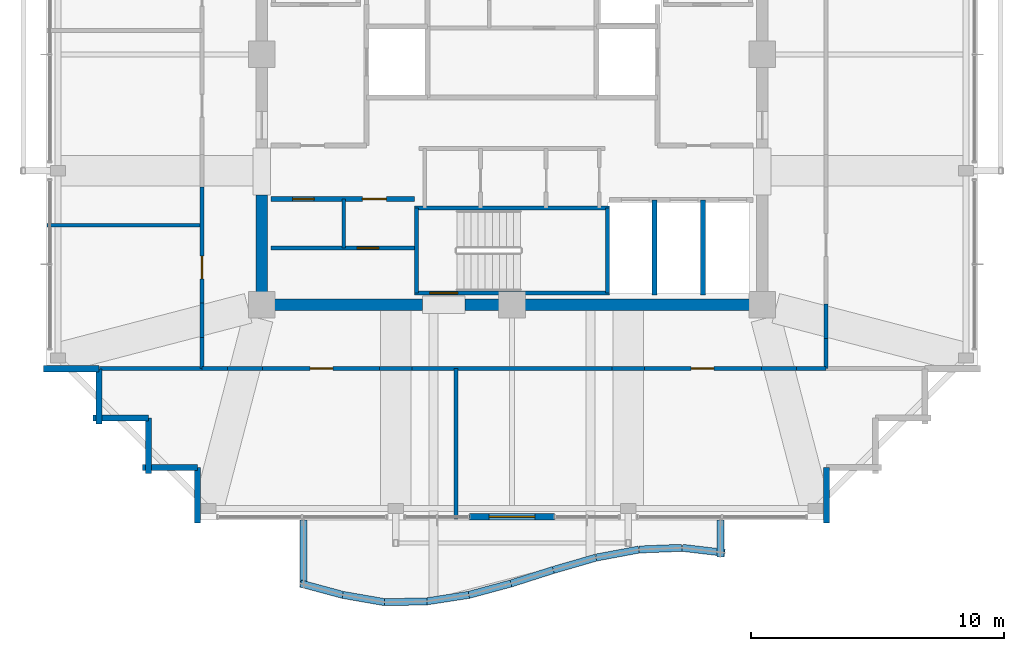
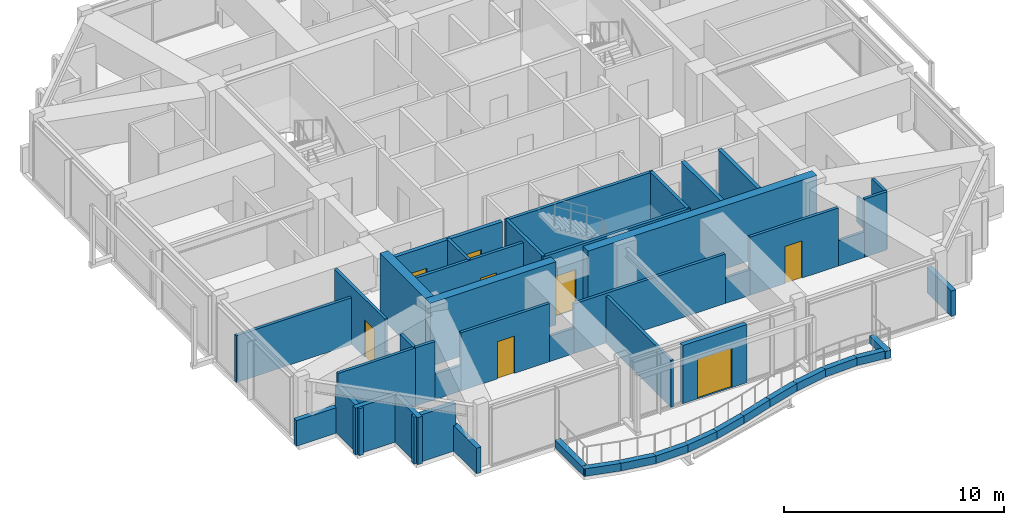
# One storey, part 26 of 30: 49 walls, 8 doors, 8 openings.
"""IFC4 building model written with IfcOpenShell, lengths in metres."""

from ifc_helpers import new_model, si_unit, direction, frame, frame_2d, origin, place, context, subcontext, project, spatial, rectangle, extrude, material, layer, layer_set, type_object, element, fill, save


model = new_model("IFC4")

# Units and contexts
model_context = context("Model", 3, precision=1e-05, world=origin(), true_north=direction((0.0, 1.0)))
body_context = subcontext(model_context, "Body", "Model", "MODEL_VIEW")
ifc_project = project(units=[si_unit("LENGTHUNIT", "METRE"), si_unit("AREAUNIT", "SQUARE_METRE"), si_unit("VOLUMEUNIT", "CUBIC_METRE"), si_unit("PLANEANGLEUNIT", "RADIAN"), si_unit("MASSUNIT", "GRAM", prefix="KILO")], contexts=[model_context])

# Site, building, storey
site_placement = place(None, origin())
site = spatial("IfcSite", under=ifc_project, at=site_placement, CompositionType="ELEMENT")
building_placement = place(site_placement, origin())
building = spatial("IfcBuilding", under=site, at=building_placement, Name="Kolvaren Belvedere", CompositionType="ELEMENT")
storey_placement = place(building_placement, frame((0.0, 0.0, 254.89990234375)))
storey = spatial("IfcBuildingStorey", under=building, at=storey_placement, Name="L74", CompositionType="ELEMENT", Elevation=254.89990234375)

# Walls
ifc_material_1 = material(Name="Concrete C50/60", Category="concrete")
ifc_layer_1 = layer(ifc_material_1, 0.449951171875)
ifc_layer_set_1 = layer_set([ifc_layer_1], Name="Concrete C50/60")
wall_type_1 = type_object("IfcWallType", Name="CW-CORE-450", PredefinedType="SHEAR", material=ifc_layer_set_1)
wall_1_placement = place(storey_placement, frame((10.125, -9.89990234375, 0.0), z_axis=(0.0, 0.0, 1.0), x_axis=(-1.0, 0.0, 0.0)))
element("IfcWall", 1, at=wall_1_placement, inside=storey, type_object=wall_type_1, Name="L74 South Core Shear Wall 1", PredefinedType="SHEAR", context=body_context, shape_type="SweptSolid", body=[
    extrude(rectangle(XDim=11.985107421875, YDim=0.449951171875, at=frame_2d((5.99267578125, 0.0))), origin(), (0.0, 0.0, 1.0), 3.5),
])
wall_2_placement = place(storey_placement, frame((-3.5400390625, -9.89990234375, 0.0), z_axis=(0.0, 0.0, 1.0), x_axis=(-1.0, 0.0, 0.0)))
element("IfcWall", 2, at=wall_2_placement, inside=storey, type_object=wall_type_1, Name="L74 South Core Shear Wall 2", PredefinedType="SHEAR", context=body_context, shape_type="SweptSolid", body=[
    extrude(rectangle(XDim=6.5849609375, YDim=0.449951171875, at=frame_2d((3.29248046875, 0.0))), origin(), (0.0, 0.0, 1.0), 3.5),
])
wall_3_placement = place(storey_placement, frame((-9.89990234375, -9.675048828125, 0.0), z_axis=(0.0, 0.0, 1.0), x_axis=(0.0, 1.0, 0.0)))
element("IfcWall", 3, at=wall_3_placement, inside=storey, type_object=wall_type_1, Name="L74 West Core Shear Wall 1", PredefinedType="SHEAR", context=body_context, shape_type="SweptSolid", body=[
    extrude(rectangle(XDim=4.125, YDim=0.449951171875, at=frame_2d((2.0625, 0.0))), origin(), (0.0, 0.0, 1.0), 3.5),
])

# Wall, opening, door
ifc_material_2 = material(Name="Concrete C50/60", Category="concrete")
ifc_layer_2 = layer(ifc_material_2, 0.159912109375)
ifc_layer_set_2 = layer_set([ifc_layer_2], Name="Concrete C50/60")
wall_type_2 = type_object("IfcWallType", Name="CW-STAIR-160", PredefinedType="SHEAR", material=ifc_layer_set_2)
wall_4_placement = place(storey_placement, frame((3.860107421875, -9.429931640625, 0.0), z_axis=(0.0, 0.0, 1.0), x_axis=(-1.0, 0.0, 0.0)))
wall_4 = element("IfcWall", 4, at=wall_4_placement, inside=storey, type_object=wall_type_2, Name="L74 Stair ST-3 South Shear Wall", PredefinedType="SHEAR", context=body_context, shape_type="SweptSolid", body=[
    extrude(rectangle(XDim=7.72021484375, YDim=0.159912109375, at=frame_2d((3.860107421875, 0.0))), origin(), (0.0, 0.0, 1.0), 3.5),
])
opening_1_placement = place(wall_4_placement, frame((6.010009765625, 0.0, 0.0)))
opening_1 = element("IfcOpeningElement", 5, at=opening_1_placement, cuts=wall_4, Name="Opening D-FD90", PredefinedType="OPENING", context=body_context, shape_type="SweptSolid", body=[
    extrude(rectangle(XDim=1.10009765625, YDim=2.199951171875, at=frame_2d((0.550048828125, 1.10009765625))), frame((0.0, 0.08984375, 0.0), z_axis=(0.0, -1.0, 0.0), x_axis=(1.0, 0.0, 0.0)), (0.0, 0.0, 1.0), 0.179931640625),
])
ifc_material_3 = material(Name="Painted hollow stainless steel", Category="steel")
door_type_1 = type_object("IfcDoorType", Name="DR-FD90-1100", OperationType="NOTDEFINED", PredefinedType="DOOR", material=ifc_material_3)
door_1_placement = place(opening_1_placement, origin())
door_1 = element("IfcDoor", 6, at=door_1_placement, inside=storey, type_object=door_type_1, Name="L74 Stair ST-3 Exit Door", OperationType="SINGLE_SWING_RIGHT", OverallHeight=2.199951171875, OverallWidth=1.10009765625, PredefinedType="DOOR", context=body_context, shape_type="SweptSolid", body=[
    extrude(rectangle(XDim=1.10009765625, YDim=2.199951171875, at=frame_2d((0.550048828125, 1.10009765625))), frame((0.0, 0.02490234375, 0.0), z_axis=(0.0, -1.0, 0.0), x_axis=(1.0, 0.0, 0.0)), (0.0, 0.0, 1.0), 0.050048828125),
])
fill(opening_1, door_1)

# Walls
wall_5_placement = place(storey_placement, frame((-3.860107421875, -6.080078125, 0.0), z_axis=(0.0, 0.0, 1.0), x_axis=(1.0, 0.0, 0.0)))
element("IfcWall", 7, at=wall_5_placement, inside=storey, type_object=wall_type_2, Name="L74 Stair ST-3 North Shear Wall", PredefinedType="SHEAR", context=body_context, shape_type="SweptSolid", body=[
    extrude(rectangle(XDim=7.72021484375, YDim=0.159912109375, at=frame_2d((3.860107421875, 0.0))), origin(), (0.0, 0.0, 1.0), 3.5),
])
for number, where, z_axis, x_axis, name in (
    (8, (-3.780029296875, -9.429931640625, 0.0), (0.0, 0.0, 1.0), (0.0, 1.0, 0.0), "L74 Stair ST-3 West Shear Wall"),
    (9, (3.780029296875, -9.429931640625, 0.0), (0.0, 0.0, 1.0), (0.0, 1.0, 0.0), "L74 Stair ST-3 East Shear Wall"),
):
    element("IfcWall", number, at=place(storey_placement, frame(where, z_axis=z_axis, x_axis=x_axis)), inside=storey, type_object=wall_type_2, Name=name, PredefinedType="SHEAR", context=body_context, shape_type="SweptSolid", body=[
        extrude(rectangle(XDim=3.349853515625, YDim=0.159912109375, at=frame_2d((1.6748046875, 0.0))), origin(), (0.0, 0.0, 1.0), 3.5),
    ])
ifc_material_4 = material(Name="Gypsum fire-rated partition assembly", Category="gypsum")
ifc_layer_3 = layer(ifc_material_4, 0.14990234375)
ifc_layer_set_3 = layer_set([ifc_layer_3], Name="Gypsum fire-rated partition assembly")
wall_type_3 = type_object("IfcWallType", Name="WL-CORR-150", PredefinedType="PARTITIONING", material=ifc_layer_set_3)
wall_6_placement = place(storey_placement, frame((-12.260009765625, -12.419921875, 0.0), z_axis=(0.0, 0.0, 1.0), x_axis=(1.0, 0.0, 0.0)))
element("IfcWall", 10, at=wall_6_placement, inside=storey, type_object=wall_type_3, Name="L74 South Corridor Wall", PredefinedType="PARTITIONING", context=body_context, shape_type="SweptSolid", body=[
    extrude(rectangle(XDim=1.017578125, YDim=0.14990234375, at=frame_2d((0.5087890625, 0.0))), origin(), (0.0, 0.0, 1.0), 3.22021484375),
])
wall_7_placement = place(storey_placement, frame((-11.242431640625, -12.419921875, 0.0), z_axis=(0.0, 0.0, 1.0), x_axis=(1.0, 0.0, 0.0)))
element("IfcWall", 11, at=wall_7_placement, inside=storey, type_object=wall_type_3, Name="L74 South Corridor Wall", PredefinedType="PARTITIONING", context=body_context, shape_type="SweptSolid", body=[
    extrude(rectangle(XDim=1.3701171875, YDim=0.14990234375, at=frame_2d((0.68505859375, 0.0))), origin(), (0.0, 0.0, 1.0), 1.405029296875),
])

# Wall, opening, door
wall_8_placement = place(storey_placement, frame((-9.872314453125, -12.419921875, 0.0), z_axis=(0.0, 0.0, 1.0), x_axis=(1.0, 0.0, 0.0)))
wall_8 = element("IfcWall", 12, at=wall_8_placement, inside=storey, type_object=wall_type_3, Name="L74 South Corridor Wall", PredefinedType="PARTITIONING", context=body_context, shape_type="SweptSolid", body=[
    extrude(rectangle(XDim=4.63037109375, YDim=0.14990234375, at=frame_2d((2.315185546875, 0.0))), origin(), (0.0, 0.0, 1.0), 3.22021484375),
])
opening_2_placement = place(wall_8_placement, frame((1.88720703125, 0.0, 0.0)))
opening_2 = element("IfcOpeningElement", 13, at=opening_2_placement, cuts=wall_8, Name="Opening D-INT90", PredefinedType="OPENING", context=body_context, shape_type="SweptSolid", body=[
    extrude(rectangle(XDim=0.89990234375, YDim=2.06005859375, at=frame_2d((0.449951171875, 1.030029296875))), frame((0.0, 0.0849609375, 0.0), z_axis=(0.0, -1.0, 0.0), x_axis=(1.0, 0.0, 0.0)), (0.0, 0.0, 1.0), 0.169921875),
])
ifc_material_5 = material(Name="Stained Pacific white oak", Category="timber")
door_type_2 = type_object("IfcDoorType", Name="DR-INT-900", OperationType="NOTDEFINED", PredefinedType="DOOR", material=ifc_material_5)
door_2_placement = place(opening_2_placement, origin())
door_2 = element("IfcDoor", 14, at=door_2_placement, inside=storey, type_object=door_type_2, Name="L74 Guest Tea & Espresso Kitchen 7401 Door", OperationType="SINGLE_SWING_RIGHT", OverallHeight=2.06005859375, OverallWidth=0.89990234375, PredefinedType="DOOR", context=body_context, shape_type="SweptSolid", body=[
    extrude(rectangle(XDim=0.89990234375, YDim=2.06005859375, at=frame_2d((0.449951171875, 1.030029296875))), frame((0.0, 0.02490234375, 0.0), z_axis=(0.0, -1.0, 0.0), x_axis=(1.0, 0.0, 0.0)), (0.0, 0.0, 1.0), 0.050048828125),
])
fill(opening_2, door_2)

# Walls
wall_9_placement = place(storey_placement, frame((-5.241943359375, -12.419921875, 0.0), z_axis=(0.0, 0.0, 1.0), x_axis=(1.0, 0.0, 0.0)))
element("IfcWall", 15, at=wall_9_placement, inside=storey, type_object=wall_type_3, Name="L74 South Corridor Wall", PredefinedType="PARTITIONING", context=body_context, shape_type="SweptSolid", body=[
    extrude(rectangle(XDim=1.283935546875, YDim=0.14990234375, at=frame_2d((0.64208984375, 0.0))), origin(), (0.0, 0.0, 1.0), 1.405029296875),
])
wall_10_placement = place(storey_placement, frame((-3.9580078125, -12.419921875, 0.0), z_axis=(0.0, 0.0, 1.0), x_axis=(1.0, 0.0, 0.0)))
element("IfcWall", 16, at=wall_10_placement, inside=storey, type_object=wall_type_3, Name="L74 South Corridor Wall", PredefinedType="PARTITIONING", context=body_context, shape_type="SweptSolid", body=[
    extrude(rectangle(XDim=7.916015625, YDim=0.14990234375, at=frame_2d((3.9580078125, 0.0))), origin(), (0.0, 0.0, 1.0), 2.7451171875),
])
wall_11_placement = place(storey_placement, frame((3.9580078125, -12.419921875, 0.0), z_axis=(0.0, 0.0, 1.0), x_axis=(1.0, 0.0, 0.0)))
element("IfcWall", 17, at=wall_11_placement, inside=storey, type_object=wall_type_3, Name="L74 South Corridor Wall", PredefinedType="PARTITIONING", context=body_context, shape_type="SweptSolid", body=[
    extrude(rectangle(XDim=1.283935546875, YDim=0.14990234375, at=frame_2d((0.64208984375, 0.0))), origin(), (0.0, 0.0, 1.0), 1.405029296875),
])

# Wall, opening, door
wall_12_placement = place(storey_placement, frame((5.241943359375, -12.419921875, 0.0), z_axis=(0.0, 0.0, 1.0), x_axis=(1.0, 0.0, 0.0)))
wall_12 = element("IfcWall", 18, at=wall_12_placement, inside=storey, type_object=wall_type_3, Name="L74 South Corridor Wall", PredefinedType="PARTITIONING", context=body_context, shape_type="SweptSolid", body=[
    extrude(rectangle(XDim=4.63037109375, YDim=0.14990234375, at=frame_2d((2.315185546875, 0.0))), origin(), (0.0, 0.0, 1.0), 3.22021484375),
])
opening_3_placement = place(wall_12_placement, frame((1.843017578125, 0.0, 0.0)))
opening_3 = element("IfcOpeningElement", 19, at=opening_3_placement, cuts=wall_12, Name="Opening D-INT90", PredefinedType="OPENING", context=body_context, shape_type="SweptSolid", body=[
    extrude(rectangle(XDim=0.89990234375, YDim=2.06005859375, at=frame_2d((0.449951171875, 1.030029296875))), frame((0.0, 0.0849609375, 0.0), z_axis=(0.0, -1.0, 0.0), x_axis=(1.0, 0.0, 0.0)), (0.0, 0.0, 1.0), 0.169921875),
])
door_3_placement = place(opening_3_placement, origin())
door_3 = element("IfcDoor", 20, at=door_3_placement, inside=storey, type_object=door_type_2, Name="L74 Lounge 7402 Door", OperationType="SINGLE_SWING_LEFT", OverallHeight=2.06005859375, OverallWidth=0.89990234375, PredefinedType="DOOR", context=body_context, shape_type="SweptSolid", body=[
    extrude(rectangle(XDim=0.89990234375, YDim=2.06005859375, at=frame_2d((0.449951171875, 1.030029296875))), frame((0.0, 0.02490234375, 0.0), z_axis=(0.0, -1.0, 0.0), x_axis=(1.0, 0.0, 0.0)), (0.0, 0.0, 1.0), 0.050048828125),
])
fill(opening_3, door_3)

# Walls
wall_13_placement = place(storey_placement, frame((9.872314453125, -12.419921875, 0.0), z_axis=(0.0, 0.0, 1.0), x_axis=(1.0, 0.0, 0.0)))
element("IfcWall", 21, at=wall_13_placement, inside=storey, type_object=wall_type_3, Name="L74 South Corridor Wall", PredefinedType="PARTITIONING", context=body_context, shape_type="SweptSolid", body=[
    extrude(rectangle(XDim=1.3701171875, YDim=0.14990234375, at=frame_2d((0.68505859375, 0.0))), origin(), (0.0, 0.0, 1.0), 1.405029296875),
])
wall_14_placement = place(storey_placement, frame((11.242431640625, -12.419921875, 0.0), z_axis=(0.0, 0.0, 1.0), x_axis=(1.0, 0.0, 0.0)))
element("IfcWall", 22, at=wall_14_placement, inside=storey, type_object=wall_type_3, Name="L74 South Corridor Wall", PredefinedType="PARTITIONING", context=body_context, shape_type="SweptSolid", body=[
    extrude(rectangle(XDim=1.177490234375, YDim=0.14990234375, at=frame_2d((0.5888671875, 0.0))), origin(), (0.0, 0.0, 1.0), 3.22021484375),
])
wall_15_placement = place(storey_placement, frame((-12.260009765625, -12.419921875, 0.0), z_axis=(0.0, 0.0, 1.0), x_axis=(0.0, 1.0, 0.0)))
element("IfcWall", 23, at=wall_15_placement, inside=storey, type_object=wall_type_3, Name="L74 West Corridor Wall", PredefinedType="PARTITIONING", context=body_context, shape_type="SweptSolid", body=[
    extrude(rectangle(XDim=1.21923828125, YDim=0.14990234375, at=frame_2d((0.609619140625, 0.0))), origin(), (0.0, 0.0, 1.0), 3.22021484375),
])
wall_16_placement = place(storey_placement, frame((-12.260009765625, -11.20068359375, 0.0), z_axis=(0.0, 0.0, 1.0), x_axis=(0.0, 1.0, 0.0)))
element("IfcWall", 24, at=wall_16_placement, inside=storey, type_object=wall_type_3, Name="L74 West Corridor Wall", PredefinedType="PARTITIONING", context=body_context, shape_type="SweptSolid", body=[
    extrude(rectangle(XDim=1.370361328125, YDim=0.14990234375, at=frame_2d((0.68505859375, 0.0))), origin(), (0.0, 0.0, 1.0), 1.405029296875),
])

# Wall, opening, door
wall_17_placement = place(storey_placement, frame((-12.260009765625, -9.830322265625, 0.0), z_axis=(0.0, 0.0, 1.0), x_axis=(0.0, 1.0, 0.0)))
wall_17 = element("IfcWall", 25, at=wall_17_placement, inside=storey, type_object=wall_type_3, Name="L74 West Corridor Wall", PredefinedType="PARTITIONING", context=body_context, shape_type="SweptSolid", body=[
    extrude(rectangle(XDim=4.58837890625, YDim=0.14990234375, at=frame_2d((2.294189453125, 0.0))), origin(), (0.0, 0.0, 1.0), 3.22021484375),
])
opening_4_placement = place(wall_17_placement, frame((0.952392578125, 0.0, 0.0)))
opening_4 = element("IfcOpeningElement", 26, at=opening_4_placement, cuts=wall_17, Name="Opening D-INT90", PredefinedType="OPENING", context=body_context, shape_type="SweptSolid", body=[
    extrude(rectangle(XDim=0.89990234375, YDim=2.06005859375, at=frame_2d((0.449951171875, 1.030029296875))), frame((0.0, 0.0849609375, 0.0), z_axis=(0.0, -1.0, 0.0), x_axis=(1.0, 0.0, 0.0)), (0.0, 0.0, 1.0), 0.169921875),
])
door_4_placement = place(opening_4_placement, origin())
door_4 = element("IfcDoor", 27, at=door_4_placement, inside=storey, type_object=door_type_2, Name="L74 Private Hospitality Meeting Room 7405 Door", OperationType="SINGLE_SWING_RIGHT", OverallHeight=2.06005859375, OverallWidth=0.89990234375, PredefinedType="DOOR", context=body_context, shape_type="SweptSolid", body=[
    extrude(rectangle(XDim=0.89990234375, YDim=2.06005859375, at=frame_2d((0.449951171875, 1.030029296875))), frame((0.0, 0.02490234375, 0.0), z_axis=(0.0, -1.0, 0.0), x_axis=(1.0, 0.0, 0.0)), (0.0, 0.0, 1.0), 0.050048828125),
])
fill(opening_4, door_4)

# Walls
wall_18_placement = place(storey_placement, frame((12.419921875, -12.419921875, 0.0), z_axis=(0.0, 0.0, 1.0), x_axis=(0.0, 1.0, 0.0)))
element("IfcWall", 28, at=wall_18_placement, inside=storey, type_object=wall_type_3, Name="L74 East Corridor Wall", PredefinedType="PARTITIONING", context=body_context, shape_type="SweptSolid", body=[
    extrude(rectangle(XDim=1.177490234375, YDim=0.14990234375, at=frame_2d((0.5888671875, 0.0))), origin(), (0.0, 0.0, 1.0), 3.22021484375),
])
wall_19_placement = place(storey_placement, frame((12.419921875, -11.242431640625, 0.0), z_axis=(0.0, 0.0, 1.0), x_axis=(0.0, 1.0, 0.0)))
element("IfcWall", 29, at=wall_19_placement, inside=storey, type_object=wall_type_3, Name="L74 East Corridor Wall", PredefinedType="PARTITIONING", context=body_context, shape_type="SweptSolid", body=[
    extrude(rectangle(XDim=1.3701171875, YDim=0.14990234375, at=frame_2d((0.68505859375, 0.0))), origin(), (0.0, 0.0, 1.0), 1.405029296875),
])

# Wall, opening, door
ifc_material_6 = material(Name="Insulated pale-metal facade wall assembly", Category="aluminium")
ifc_layer_4 = layer(ifc_material_6, 0.239990234375)
ifc_layer_set_4 = layer_set([ifc_layer_4], Name="Insulated pale-metal facade wall assembly")
wall_type_4 = type_object("IfcWallType", Name="WL-EXT-240", PredefinedType="STANDARD", material=ifc_layer_set_4)
wall_20_placement = place(storey_placement, frame((1.679931640625, -18.280029296875, 0.0), z_axis=(0.0, 0.0, 1.0), x_axis=(-1.0, 0.0, 0.0)))
wall_20 = element("IfcWall", 30, at=wall_20_placement, inside=storey, type_object=wall_type_4, Name="L74 South Terrace Portal Wall", PredefinedType="STANDARD", context=body_context, shape_type="SweptSolid", body=[
    extrude(rectangle(XDim=3.35986328125, YDim=0.239990234375, at=frame_2d((1.679931640625, 0.0))), origin(), (0.0, 0.0, 1.0), 3.22021484375),
])
opening_5_placement = place(wall_20_placement, frame((0.780029296875, 0.0, 0.0)))
opening_5 = element("IfcOpeningElement", 31, at=opening_5_placement, cuts=wall_20, Name="Opening DB-1800", PredefinedType="OPENING", context=body_context, shape_type="SweptSolid", body=[
    extrude(rectangle(XDim=1.800048828125, YDim=2.199951171875, at=frame_2d((0.89990234375, 1.10009765625))), frame((0.0, 0.1298828125, 0.0), z_axis=(0.0, -1.0, 0.0), x_axis=(1.0, 0.0, 0.0)), (0.0, 0.0, 1.0), 0.260009765625),
])
ifc_material_7 = material(Name="Thermally broken pale-metal aluminium & low-iron glass", Category="aluminium")
door_type_3 = type_object("IfcDoorType", Name="DR-BAL-1800", OperationType="DOUBLE_DOOR_SLIDING", PredefinedType="DOOR", material=ifc_material_7)
door_5_placement = place(opening_5_placement, origin())
door_5 = element("IfcDoor", 32, at=door_5_placement, inside=storey, type_object=door_type_3, Name="L74 South Planted Terrace Sliding Door", OperationType="DOUBLE_DOOR_SLIDING", OverallHeight=2.199951171875, OverallWidth=1.800048828125, PredefinedType="DOOR", context=body_context, shape_type="SweptSolid", body=[
    extrude(rectangle(XDim=1.800048828125, YDim=2.199951171875, at=frame_2d((0.89990234375, 1.10009765625))), frame((0.0, 0.02490234375, 0.0), z_axis=(0.0, -1.0, 0.0), x_axis=(1.0, 0.0, 0.0)), (0.0, 0.0, 1.0), 0.050048828125),
])
fill(opening_5, door_5)

# Walls
for number, where, z_axis, x_axis, name in (
    (33, (12.429931640625, -16.330078125, 0.0), (0.0, 0.0, 1.0), (0.0, -1.0, 0.0), "L74 Serrated Corner Facade Wall 2"),
    (34, (-16.330078125, -12.429931640625, 0.0), (0.0, 0.0, 1.0), (-1.0, 0.0, 0.0), "L74 Serrated Corner Facade Wall 23"),
):
    element("IfcWall", number, at=place(storey_placement, frame(where, z_axis=z_axis, x_axis=x_axis)), inside=storey, type_object=wall_type_4, Name=name, PredefinedType="STANDARD", context=body_context, shape_type="SweptSolid", body=[
        extrude(rectangle(XDim=2.18994140625, YDim=0.239990234375, at=frame_2d((1.094970703125, 0.0))), origin(), (0.0, 0.0, 1.0), 1.4150390625),
    ])
for number, where, z_axis, x_axis, name in (
    (35, (-16.330078125, -14.6201171875, 0.0), (0.0, 0.0, 1.0), (0.0, 1.0, 0.0), "L74 Serrated Corner Facade Wall 24"),
    (36, (-14.3798828125, -14.3798828125, 0.0), (0.0, 0.0, 1.0), (-1.0, 0.0, 0.0), "L74 Serrated Corner Facade Wall 25"),
    (37, (-14.3798828125, -16.570068359375, 0.0), (0.0, 0.0, 1.0), (0.0, 1.0, 0.0), "L74 Serrated Corner Facade Wall 26"),
    (38, (-12.429931640625, -16.330078125, 0.0), (0.0, 0.0, 1.0), (-1.0, 0.0, 0.0), "L74 Serrated Corner Facade Wall 27"),
):
    element("IfcWall", number, at=place(storey_placement, frame(where, z_axis=z_axis, x_axis=x_axis)), inside=storey, type_object=wall_type_4, Name=name, PredefinedType="STANDARD", context=body_context, shape_type="SweptSolid", body=[
        extrude(rectangle(XDim=2.190185546875, YDim=0.239990234375, at=frame_2d((1.09521484375, 0.0))), origin(), (0.0, 0.0, 1.0), 2.60302734375),
    ])
wall_21_placement = place(storey_placement, frame((-12.429931640625, -18.52001953125, 0.0), z_axis=(0.0, 0.0, 1.0), x_axis=(0.0, 1.0, 0.0)))
element("IfcWall", 39, at=wall_21_placement, inside=storey, type_object=wall_type_4, Name="L74 Serrated Corner Facade Wall 28", PredefinedType="STANDARD", context=body_context, shape_type="SweptSolid", body=[
    extrude(rectangle(XDim=2.18994140625, YDim=0.239990234375, at=frame_2d((1.094970703125, 0.0))), origin(), (0.0, 0.0, 1.0), 1.4150390625),
])

# Wall, opening, door
ifc_material_8 = material(Name="Gypsum acoustic partition assembly", Category="gypsum")
ifc_layer_5 = layer(ifc_material_8, 0.14990234375)
ifc_layer_set_5 = layer_set([ifc_layer_5], Name="Gypsum acoustic partition assembly")
wall_type_5 = type_object("IfcWallType", Name="WL-PART-150", PredefinedType="PARTITIONING", material=ifc_layer_set_5)
wall_22_placement = place(storey_placement, frame((-9.52001953125, -7.64990234375, 0.0), z_axis=(0.0, 0.0, 1.0), x_axis=(1.0, 0.0, 0.0)))
wall_22 = element("IfcWall", 40, at=wall_22_placement, inside=storey, type_object=wall_type_5, Name="L74 Reclaimed Mid H-Divider", PredefinedType="PARTITIONING", context=body_context, shape_type="SweptSolid", body=[
    extrude(rectangle(XDim=5.659912109375, YDim=0.14990234375, at=frame_2d((2.830078125, 0.0))), origin(), (0.0, 0.0, 1.0), 3.22021484375),
])
opening_6_placement = place(wall_22_placement, frame((3.39990234375, 0.0, 0.0)))
opening_6 = element("IfcOpeningElement", 41, at=opening_6_placement, cuts=wall_22, Name="Opening D-INT85", PredefinedType="OPENING", context=body_context, shape_type="SweptSolid", body=[
    extrude(rectangle(XDim=0.85009765625, YDim=2.030029296875, at=frame_2d((0.425048828125, 1.01513671875))), frame((0.0, 0.0849609375, 0.0), z_axis=(0.0, -1.0, 0.0), x_axis=(1.0, 0.0, 0.0)), (0.0, 0.0, 1.0), 0.169921875),
])
ifc_material_9 = material(Name="Stained Pacific white oak", Category="timber")
door_type_4 = type_object("IfcDoorType", Name="DR-INT-850", OperationType="NOTDEFINED", PredefinedType="DOOR", material=ifc_material_9)
door_6_placement = place(opening_6_placement, origin())
door_6 = element("IfcDoor", 42, at=door_6_placement, inside=storey, type_object=door_type_4, Name="L74 Tea Pantry Door", OperationType="SINGLE_SWING_LEFT", OverallHeight=2.030029296875, OverallWidth=0.85009765625, PredefinedType="DOOR", context=body_context, shape_type="SweptSolid", body=[
    extrude(rectangle(XDim=0.85009765625, YDim=2.030029296875, at=frame_2d((0.425048828125, 1.01513671875))), frame((0.0, 0.02490234375, 0.0), z_axis=(0.0, -1.0, 0.0), x_axis=(1.0, 0.0, 0.0)), (0.0, 0.0, 1.0), 0.050048828125),
])
fill(opening_6, door_6)

# Walls
wall_23_placement = place(storey_placement, frame((-6.64990234375, -7.64990234375, 0.0), z_axis=(0.0, 0.0, 1.0), x_axis=(0.0, 1.0, 0.0)))
element("IfcWall", 43, at=wall_23_placement, inside=storey, type_object=wall_type_5, Name="L74 Reclaimed Mid V-Divider", PredefinedType="PARTITIONING", context=body_context, shape_type="SweptSolid", body=[
    extrude(rectangle(XDim=1.929931640625, YDim=0.14990234375, at=frame_2d((0.96484375, 0.0))), origin(), (0.0, 0.0, 1.0), 3.22021484375),
])
wall_24_placement = place(storey_placement, frame((-16.320068359375, -12.419921875, 0.0), z_axis=(0.0, 0.0, 1.0), x_axis=(1.0, 0.0, 0.0)))
element("IfcWall", 44, at=wall_24_placement, inside=storey, type_object=wall_type_5, Name="L74 Wing Divider PW-L74-QSW", PredefinedType="PARTITIONING", context=body_context, shape_type="SweptSolid", body=[
    extrude(rectangle(XDim=4.06005859375, YDim=0.14990234375, at=frame_2d((2.030029296875, 0.0))), origin(), (0.0, 0.0, 1.0), 3.22021484375),
])
wall_25_placement = place(storey_placement, frame((-2.219970703125, -18.3798828125, 0.0), z_axis=(0.0, 0.0, 1.0), x_axis=(0.0, 1.0, 0.0)))
element("IfcWall", 45, at=wall_25_placement, inside=storey, type_object=wall_type_5, Name="L74 South Suite Demising Wall 1", PredefinedType="PARTITIONING", context=body_context, shape_type="SweptSolid", body=[
    extrude(rectangle(XDim=5.9599609375, YDim=0.14990234375, at=frame_2d((2.97998046875, 0.0))), origin(), (0.0, 0.0, 1.0), 2.593017578125),
])
wall_26_placement = place(storey_placement, frame((-18.3798828125, -6.751953125, 0.0), z_axis=(0.0, 0.0, 1.0), x_axis=(1.0, 0.0, 0.0)))
element("IfcWall", 46, at=wall_26_placement, inside=storey, type_object=wall_type_5, Name="L74 West Suite Demising Wall 1", PredefinedType="PARTITIONING", context=body_context, shape_type="SweptSolid", body=[
    extrude(rectangle(XDim=6.119873046875, YDim=0.14990234375, at=frame_2d((3.06005859375, 0.0))), origin(), (0.0, 0.0, 1.0), 2.593017578125),
])
ifc_material_10 = material(Name="Precast concrete C40/50", Category="concrete")
ifc_layer_6 = layer(ifc_material_10, 0.300048828125)
ifc_layer_set_6 = layer_set([ifc_layer_6], Name="Precast concrete C40/50")
wall_type_6 = type_object("IfcWallType", Name="WL-PLANTER-300", PredefinedType="PARAPET", material=ifc_layer_set_6)
wall_27_placement = place(storey_placement, frame((-8.3583984375, -20.919189453125, -0.06982421875), z_axis=(0.0, 0.0, 1.0), x_axis=(0.965434024814, -0.260647546949, 0.0)))
element("IfcWall", 47, at=wall_27_placement, inside=storey, type_object=wall_type_6, Name="L74 Precast Structural Planter Wall BAL-S-1", PredefinedType="PARAPET", context=body_context, shape_type="SweptSolid", body=[
    extrude(rectangle(XDim=1.740234375, YDim=0.280029296875, at=frame_2d((0.8701171875, 0.0))), origin(), (0.0, 0.0, 1.0), 0.419921875),
])
wall_28_placement = place(storey_placement, frame((-6.6923828125, -21.36962890625, -0.06982421875), z_axis=(0.0, 0.0, 1.0), x_axis=(0.985156010777, -0.171661394699, 0.0)))
element("IfcWall", 48, at=wall_28_placement, inside=storey, type_object=wall_type_6, Name="L74 Precast Structural Planter Wall BAL-S-2", PredefinedType="PARAPET", context=body_context, shape_type="SweptSolid", body=[
    extrude(rectangle(XDim=1.705322265625, YDim=0.280029296875, at=frame_2d((0.8525390625, 0.0))), origin(), (0.0, 0.0, 1.0), 0.419921875),
])
wall_29_placement = place(storey_placement, frame((-5.043212890625, -21.659912109375, -0.06982421875), z_axis=(0.0, 0.0, 1.0), x_axis=(0.99979895463, 0.020051192521, 0.0)))
element("IfcWall", 49, at=wall_29_placement, inside=storey, type_object=wall_type_6, Name="L74 Precast Structural Planter Wall BAL-S-3", PredefinedType="PARAPET", context=body_context, shape_type="SweptSolid", body=[
    extrude(rectangle(XDim=1.68017578125, YDim=0.280029296875, at=frame_2d((0.840087890625, 0.0))), origin(), (0.0, 0.0, 1.0), 0.419921875),
])
wall_30_placement = place(storey_placement, frame((-3.384521484375, -21.6279296875, -0.06982421875), z_axis=(0.0, 0.0, 1.0), x_axis=(0.988345118302, 0.152229849666, 0.0)))
element("IfcWall", 50, at=wall_30_placement, inside=storey, type_object=wall_type_6, Name="L74 Precast Structural Planter Wall BAL-S-4", PredefinedType="PARAPET", context=body_context, shape_type="SweptSolid", body=[
    extrude(rectangle(XDim=1.699951171875, YDim=0.280029296875, at=frame_2d((0.85009765625, 0.0))), origin(), (0.0, 0.0, 1.0), 0.419921875),
])
wall_31_placement = place(storey_placement, frame((-1.7216796875, -21.372802734375, -0.06982421875), z_axis=(0.0, 0.0, 1.0), x_axis=(0.965424492388, 0.260682852326, 0.0)))
element("IfcWall", 51, at=wall_31_placement, inside=storey, type_object=wall_type_6, Name="L74 Precast Structural Planter Wall BAL-S-5", PredefinedType="PARAPET", context=body_context, shape_type="SweptSolid", body=[
    extrude(rectangle(XDim=1.739990234375, YDim=0.280029296875, at=frame_2d((0.8701171875, 0.0))), origin(), (0.0, 0.0, 1.0), 0.419921875),
])
wall_32_placement = place(storey_placement, frame((-0.048583984375, -20.92138671875, -0.06982421875), z_axis=(0.0, 0.0, 1.0), x_axis=(0.952661770826, 0.304032153573, 0.0)))
element("IfcWall", 52, at=wall_32_placement, inside=storey, type_object=wall_type_6, Name="L74 Precast Structural Planter Wall BAL-S-6", PredefinedType="PARAPET", context=body_context, shape_type="SweptSolid", body=[
    extrude(rectangle(XDim=1.763427734375, YDim=0.280029296875, at=frame_2d((0.8818359375, 0.0))), origin(), (0.0, 0.0, 1.0), 0.419921875),
])
wall_33_placement = place(storey_placement, frame((1.635498046875, -20.3837890625, -0.06982421875), z_axis=(0.0, 0.0, 1.0), x_axis=(0.960633903819, 0.277817391164, 0.0)))
element("IfcWall", 53, at=wall_33_placement, inside=storey, type_object=wall_type_6, Name="L74 Precast Structural Planter Wall BAL-S-7", PredefinedType="PARAPET", context=body_context, shape_type="SweptSolid", body=[
    extrude(rectangle(XDim=1.748779296875, YDim=0.280029296875, at=frame_2d((0.87451171875, 0.0))), origin(), (0.0, 0.0, 1.0), 0.419921875),
])
wall_34_placement = place(storey_placement, frame((3.330322265625, -19.894287109375, -0.06982421875), z_axis=(0.0, 0.0, 1.0), x_axis=(0.982804219087, 0.184650661912, 0.0)))
element("IfcWall", 54, at=wall_34_placement, inside=storey, type_object=wall_type_6, Name="L74 Precast Structural Planter Wall BAL-S-8", PredefinedType="PARAPET", context=body_context, shape_type="SweptSolid", body=[
    extrude(rectangle(XDim=1.70947265625, YDim=0.280029296875, at=frame_2d((0.854736328125, 0.0))), origin(), (0.0, 0.0, 1.0), 0.419921875),
])
wall_35_placement = place(storey_placement, frame((5.03369140625, -19.575927734375, -0.06982421875), z_axis=(0.0, 0.0, 1.0), x_axis=(0.999196545286, 0.040078222133, 0.0)))
element("IfcWall", 55, at=wall_35_placement, inside=storey, type_object=wall_type_6, Name="L74 Precast Structural Planter Wall BAL-S-9", PredefinedType="PARAPET", context=body_context, shape_type="SweptSolid", body=[
    extrude(rectangle(XDim=1.681396484375, YDim=0.280029296875, at=frame_2d((0.8408203125, 0.0))), origin(), (0.0, 0.0, 1.0), 0.419921875),
])
wall_36_placement = place(storey_placement, frame((6.73876953125, -19.509521484375, -0.06982421875), z_axis=(0.0, 0.0, 1.0), x_axis=(0.993125952783, -0.11705059551, 0.0)))
element("IfcWall", 56, at=wall_36_placement, inside=storey, type_object=wall_type_6, Name="L74 Precast Structural Planter Wall BAL-S-10", PredefinedType="PARAPET", context=body_context, shape_type="SweptSolid", body=[
    extrude(rectangle(XDim=1.691650390625, YDim=0.280029296875, at=frame_2d((0.845703125, 0.0))), origin(), (0.0, 0.0, 1.0), 0.419921875),
])
wall_37_placement = place(storey_placement, frame((8.239990234375, -19.8662109375, -0.06982421875), z_axis=(0.0, 0.0, 1.0), x_axis=(0.0, 1.0, 0.0)))
element("IfcWall", 57, at=wall_37_placement, inside=storey, type_object=wall_type_6, Name="L74 Precast Structural Planter Wall BAL-S-11", PredefinedType="PARAPET", context=body_context, shape_type="SweptSolid", body=[
    extrude(rectangle(XDim=1.46630859375, YDim=0.280029296875, at=frame_2d((0.733154296875, 0.0))), origin(), (0.0, 0.0, 1.0), 0.419921875),
])
wall_38_placement = place(storey_placement, frame((-8.239990234375, -18.39990234375, -0.06982421875), z_axis=(0.0, 0.0, 1.0), x_axis=(0.0, -1.0, 0.0)))
element("IfcWall", 58, at=wall_38_placement, inside=storey, type_object=wall_type_6, Name="L74 Precast Structural Planter Wall BAL-S-22", PredefinedType="PARAPET", context=body_context, shape_type="SweptSolid", body=[
    extrude(rectangle(XDim=2.673828125, YDim=0.280029296875, at=frame_2d((1.3369140625, 0.0))), origin(), (0.0, 0.0, 1.0), 0.419921875),
])

# Wall, openings, doors
ifc_material_11 = material(Name="Concrete C50/60", Category="concrete")
ifc_layer_7 = layer(ifc_material_11, 0.199951171875)
ifc_layer_set_7 = layer_set([ifc_layer_7], Name="Concrete C50/60")
wall_type_7 = type_object("IfcWallType", Name="WL-SHAFT-200", PredefinedType="SOLIDWALL", material=ifc_layer_set_7)
wall_39_placement = place(storey_placement, frame((-9.52001953125, -5.719970703125, 0.0), z_axis=(0.0, 0.0, 1.0), x_axis=(1.0, 0.0, 0.0)))
wall_39 = element("IfcWall", 59, at=wall_39_placement, inside=storey, type_object=wall_type_7, Name="L74 Reclaimed Mid Room North Wall", PredefinedType="SOLIDWALL", context=body_context, shape_type="SweptSolid", body=[
    extrude(rectangle(XDim=5.659912109375, YDim=0.199951171875, at=frame_2d((2.830078125, 0.0))), origin(), (0.0, 0.0, 1.0), 3.22021484375),
])
opening_7_placement = place(wall_39_placement, frame((3.60009765625, 0.0, 0.0)))
opening_7 = element("IfcOpeningElement", 60, at=opening_7_placement, cuts=wall_39, Name="Opening D-FD60", PredefinedType="OPENING", context=body_context, shape_type="SweptSolid", body=[
    extrude(rectangle(XDim=0.949951171875, YDim=2.06005859375, at=frame_2d((0.47509765625, 1.030029296875))), frame((0.0, 0.10986328125, 0.0), z_axis=(0.0, -1.0, 0.0), x_axis=(1.0, 0.0, 0.0)), (0.0, 0.0, 1.0), 0.219970703125),
])
opening_8_placement = place(wall_39_placement, frame((0.85009765625, 0.0, 0.0)))
opening_8 = element("IfcOpeningElement", 61, at=opening_8_placement, cuts=wall_39, Name="Opening D-INT85", PredefinedType="OPENING", context=body_context, shape_type="SweptSolid", body=[
    extrude(rectangle(XDim=0.85009765625, YDim=2.030029296875, at=frame_2d((0.425048828125, 1.01513671875))), frame((0.0, 0.10986328125, 0.0), z_axis=(0.0, -1.0, 0.0), x_axis=(1.0, 0.0, 0.0)), (0.0, 0.0, 1.0), 0.219970703125),
])
ifc_material_12 = material(Name="Acoustic white-oak fire door leaf", Category="timber")
door_type_5 = type_object("IfcDoorType", Name="DR-FD60-950", OperationType="NOTDEFINED", PredefinedType="DOOR", material=ifc_material_12)
door_7_placement = place(opening_7_placement, origin())
door_7 = element("IfcDoor", 62, at=door_7_placement, inside=storey, type_object=door_type_5, Name="L74 Wellness Salon Door", OperationType="SINGLE_SWING_LEFT", OverallHeight=2.06005859375, OverallWidth=0.949951171875, PredefinedType="DOOR", context=body_context, shape_type="SweptSolid", body=[
    extrude(rectangle(XDim=0.949951171875, YDim=2.06005859375, at=frame_2d((0.47509765625, 1.030029296875))), frame((0.0, 0.02490234375, 0.0), z_axis=(0.0, -1.0, 0.0), x_axis=(1.0, 0.0, 0.0)), (0.0, 0.0, 1.0), 0.050048828125),
])
fill(opening_7, door_7)
door_8_placement = place(opening_8_placement, origin())
door_8 = element("IfcDoor", 63, at=door_8_placement, inside=storey, type_object=door_type_4, Name="L74 Linen Closet Door", OperationType="SINGLE_SWING_RIGHT", OverallHeight=2.030029296875, OverallWidth=0.85009765625, PredefinedType="DOOR", context=body_context, shape_type="SweptSolid", body=[
    extrude(rectangle(XDim=0.85009765625, YDim=2.030029296875, at=frame_2d((0.425048828125, 1.01513671875))), frame((0.0, 0.02490234375, 0.0), z_axis=(0.0, -1.0, 0.0), x_axis=(1.0, 0.0, 0.0)), (0.0, 0.0, 1.0), 0.050048828125),
])
fill(opening_8, door_8)

# Walls
for number, where, z_axis, x_axis, name in (
    (64, (5.6298828125, -9.52001953125, 0.0), (0.0, 0.0, 1.0), (0.0, 1.0, 0.0), "L74 High-Rise Hoistway Divider 1"),
    (65, (7.56005859375, -9.52001953125, 0.0), (0.0, 0.0, 1.0), (0.0, 1.0, 0.0), "L74 High-Rise Hoistway Divider 2"),
):
    element("IfcWall", number, at=place(storey_placement, frame(where, z_axis=z_axis, x_axis=x_axis)), inside=storey, type_object=wall_type_7, Name=name, PredefinedType="SOLIDWALL", context=body_context, shape_type="SweptSolid", body=[
        extrude(rectangle(XDim=3.77001953125, YDim=0.199951171875, at=frame_2d((1.885009765625, 0.0))), origin(), (0.0, 0.0, 1.0), 3.22021484375),
    ])

save(model, "model.ifc")
